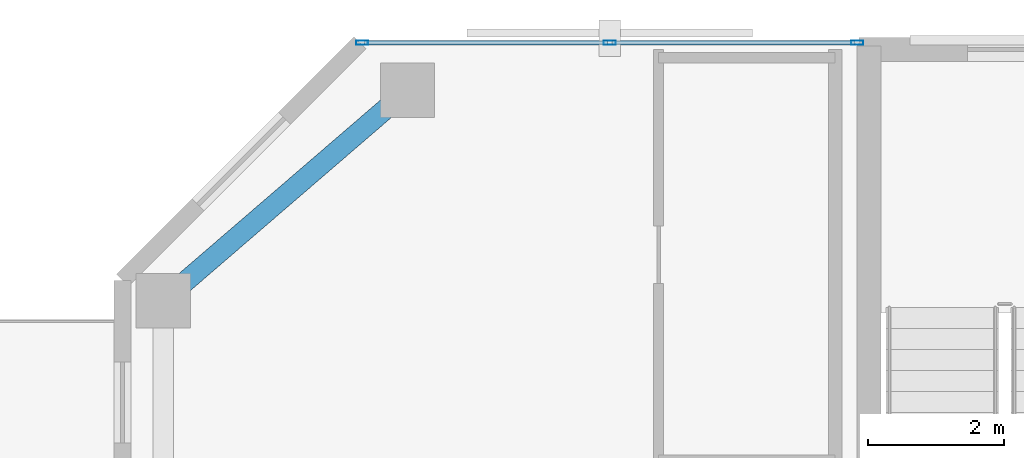
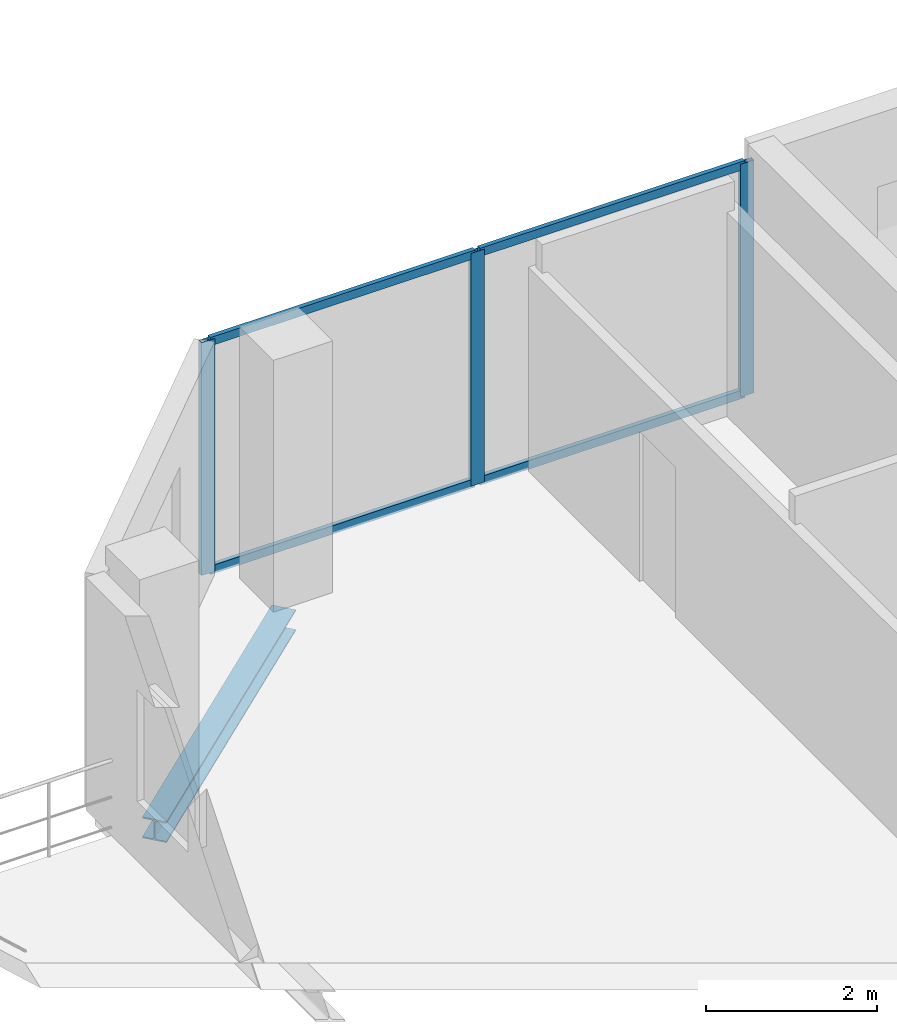
# One storey, part 15 of 23: 7 members, 1 beam, 1 element without a shape of its own.
"""IFC4 building model written with IfcOpenShell, lengths in metres."""

import ifcopenshell
import ifcopenshell.guid

model = None  # the IFC model being written
_history = None  # IfcOwnerHistory: only IFC2X3 demands one
_inside = {}  # id of a spatial element -> (the spatial element, [elements in it])
_under = {}  # id of a project, library or spatial element -> (it, [spatial elements below it])
_declared = {}  # id of a project -> (the project, [libraries it declares])
_typed = {}  # id of a type object -> (the type object, [elements of that type])
_made_of = {}  # id of a material, layer set ... -> (it, [elements and type objects made of it])


def new_model(schema):
    """Start an empty IFC model of exactly this schema.

    Asked for "IFC4X3", IfcOpenShell would pick the latest addendum, in which some entities
    have other attributes; the version numbers below select the first issue.
    IFC2X3 requires an IfcOwnerHistory on every rooted entity: one is made here for all.
    """
    global model, _history
    if schema == "IFC4X3":
        model = ifcopenshell.file(schema_version=(4, 3, 0, 0))
    else:
        model = ifcopenshell.file(schema=schema)
    _inside.clear()
    _under.clear()
    _declared.clear()
    _typed.clear()
    _made_of.clear()
    _history = None
    if model.schema == "IFC2X3":
        org = make("IfcOrganization", Name="unknown")
        user = make(
            "IfcPersonAndOrganization",
            ThePerson=make("IfcPerson", FamilyName="unknown"),
            TheOrganization=org,
        )
        app = make(
            "IfcApplication",
            ApplicationDeveloper=org,
            Version="unknown",
            ApplicationFullName="unknown",
            ApplicationIdentifier="unknown",
        )
        _history = make(
            "IfcOwnerHistory",
            OwningUser=user,
            OwningApplication=app,
            ChangeAction="ADDED",
            CreationDate=0,
        )
    return model


def make(cls, **values):
    """One entity of the class cls with the attributes given. An attribute that is None is left unset."""
    return model.create_entity(
        cls, **{name: value for name, value in values.items() if value is not None}
    )


def rooted(cls, **values):
    """An entity with a GlobalId (a new one), such as an element, a storey or a relation."""
    return make(cls, GlobalId=ifcopenshell.guid.new(), OwnerHistory=_history, **values)


def si_unit(unit_type, name, prefix=None):
    """IfcSIUnit, for example si_unit("LENGTHUNIT", "METRE", prefix="MILLI")."""
    return make("IfcSIUnit", UnitType=unit_type, Prefix=prefix, Name=name)


def assignment(units):
    """IfcUnitAssignment: the units of a project."""
    return None if units is None else make("IfcUnitAssignment", Units=units)


def point(xyz):
    """IfcCartesianPoint."""
    return None if xyz is None else make("IfcCartesianPoint", Coordinates=xyz)


def direction(xyz):
    """IfcDirection."""
    return None if xyz is None else make("IfcDirection", DirectionRatios=xyz)


def frame(location, z_axis=None, x_axis=None):
    """IfcAxis2Placement3D, a coordinate frame: its origin and axes. An axis left out is left unset."""
    return make(
        "IfcAxis2Placement3D",
        Location=point(location),
        Axis=direction(z_axis),
        RefDirection=direction(x_axis),
    )


def frame_2d(location, x_axis=None):
    """IfcAxis2Placement2D, a coordinate frame in the plane: its origin and x axis."""
    return make(
        "IfcAxis2Placement2D", Location=point(location), RefDirection=direction(x_axis)
    )


def origin():
    """The frame at (0, 0, 0) with its axes left unset."""
    return frame((0.0, 0.0, 0.0))


def origin_2d():
    """The frame at (0, 0) in the plane with its x axis left unset."""
    return frame_2d((0.0, 0.0))


def place(relative_to, where):
    """IfcLocalPlacement: puts the frame where relative to a parent placement (None: the world)."""
    return make(
        "IfcLocalPlacement", PlacementRelTo=relative_to, RelativePlacement=where
    )


def context(
    kind, dimensions, precision=None, world=None, true_north=None, identifier=None
):
    """IfcGeometricRepresentationContext, for example the 3D "Model" context."""
    return make(
        "IfcGeometricRepresentationContext",
        ContextIdentifier=identifier,
        ContextType=kind,
        CoordinateSpaceDimension=dimensions,
        Precision=precision,
        WorldCoordinateSystem=world,
        TrueNorth=true_north,
    )


def subcontext(parent, identifier, kind, view, scale=None):
    """IfcGeometricRepresentationSubContext, for example "Body" below "Model"."""
    return make(
        "IfcGeometricRepresentationSubContext",
        ContextIdentifier=identifier,
        ContextType=kind,
        ParentContext=parent,
        TargetScale=scale,
        TargetView=view,
    )


def project(units=None, contexts=None):
    """IfcProject with its units and contexts."""
    return rooted(
        "IfcProject",
        Name="project",
        RepresentationContexts=contexts,
        UnitsInContext=assignment(units),
    )


def spatial(cls, under=None, at=None, **own):
    """A site, building, storey or space (cls), placed at a placement, below another one or the project."""
    s = rooted(cls, ObjectPlacement=at, **own)
    if under is not None:
        _under.setdefault(under.id(), (under, []))[1].append(s)
    return s


def profile(cls, at=None, kind="AREA", **sizes):
    """A parametric profile (cls). Its sizes go by their IFC names, for example OverallWidth=200.0."""
    return make(cls, ProfileType=kind, Position=at, **sizes)


def hollow_rectangle(**sizes):
    """IfcRectangleHollowProfileDef."""
    return profile("IfcRectangleHollowProfileDef", **sizes)


def i_section(**sizes):
    """IfcIShapeProfileDef."""
    return profile("IfcIShapeProfileDef", **sizes)


def extrude(swept, where, along, depth):
    """IfcExtrudedAreaSolid: the profile swept, set in the frame where, extruded along a direction by depth."""
    return make(
        "IfcExtrudedAreaSolid",
        SweptArea=swept,
        Position=where,
        ExtrudedDirection=direction(along),
        Depth=depth,
    )


def shape(context_of_items, identifier, shape_type, items):
    """IfcShapeRepresentation: the items that make up one representation, for example the "Body"."""
    return make(
        "IfcShapeRepresentation",
        ContextOfItems=context_of_items,
        RepresentationIdentifier=identifier,
        RepresentationType=shape_type,
        Items=items,
    )


def material(Name=None, Category=None):
    """IfcMaterial."""
    return make("IfcMaterial", Name=Name, Category=Category)


def layer(
    of_material, thickness, ventilated=None, Name=None, Category=None, Priority=None
):
    """IfcMaterialLayer: one layer of a wall or slab, of a material (None: an air gap)."""
    return make(
        "IfcMaterialLayer",
        Material=of_material,
        LayerThickness=thickness,
        IsVentilated=ventilated,
        Name=Name,
        Category=Category,
        Priority=Priority,
    )


def layer_set(layers, Name=None):
    """IfcMaterialLayerSet."""
    return make("IfcMaterialLayerSet", MaterialLayers=layers, LayerSetName=Name)


def material_profile(
    of_material, cross_section, Name=None, Category=None, Priority=None
):
    """IfcMaterialProfile: a cross section and its material."""
    return make(
        "IfcMaterialProfile",
        Name=Name,
        Material=of_material,
        Profile=cross_section,
        Priority=Priority,
        Category=Category,
    )


def profile_set(profiles, Name=None, composite=None):
    """IfcMaterialProfileSet."""
    return make(
        "IfcMaterialProfileSet",
        Name=Name,
        MaterialProfiles=profiles,
        CompositeProfile=composite,
    )


def made_of(thing, what):
    """Note that an element or type object is made of a material, layer set ...; save() writes the relation."""
    if what is not None:
        _made_of.setdefault(what.id(), (what, []))[1].append(thing)
    return thing


def type_object(cls, material=None, **own):
    """A type object (cls), such as IfcWallType, which elements share."""
    return made_of(rooted(cls, **own), material)


def element(
    cls,
    number,
    at=None,
    inside=None,
    cuts=None,
    type_object=None,
    material=None,
    context=None,
    identifier="Body",
    shape_type=None,
    held_by="IfcProductDefinitionShape",
    body=None,
    shapes=None,
    **own,
):
    """One element of the class cls, such as IfcWall. Its Tag is "e" and its number.

    at: its placement. inside: the storey or other place that contains it. cuts: it is an
    opening in that element (IfcRelVoidsElement). A single representation is given by context,
    identifier, shape_type and body (its items); several are given by shapes. held_by: the class
    of the entity that holds the representations. save() writes the other relations.
    """
    e = rooted(cls, Tag="e%d" % number, ObjectPlacement=at, **own)
    if body is not None:
        shapes = [shape(context, identifier, shape_type, body)]
    if shapes is not None:
        e.Representation = make(held_by, Representations=shapes)
    if inside is not None:
        _inside.setdefault(inside.id(), (inside, []))[1].append(e)
    if cuts is not None:
        rooted(
            "IfcRelVoidsElement", RelatingBuildingElement=cuts, RelatedOpeningElement=e
        )
    if type_object is not None:
        _typed.setdefault(type_object.id(), (type_object, []))[1].append(e)
    return made_of(e, material)


def aggregate(whole, parts):
    """IfcRelAggregates: a whole, such as a stair, and the parts it consists of."""
    return rooted("IfcRelAggregates", RelatingObject=whole, RelatedObjects=parts)


def save(model, path):
    """Write the relations noted so far, then the file.

    IfcRelAggregates (storeys below a building ...), IfcRelContainedInSpatialStructure (elements
    in a storey), IfcRelDefinesByType, IfcRelAssociatesMaterial and IfcRelDeclares: one each for
    every whole, place, type object, material and project.
    """
    for whole, parts in _under.values():
        aggregate(whole, parts)
    for where, things in _inside.values():
        rooted(
            "IfcRelContainedInSpatialStructure",
            RelatedElements=things,
            RelatingStructure=where,
        )
    for kind, things in _typed.values():
        rooted("IfcRelDefinesByType", RelatedObjects=things, RelatingType=kind)
    for what, things in _made_of.values():
        rooted("IfcRelAssociatesMaterial", RelatedObjects=things, RelatingMaterial=what)
    for by, libraries in _declared.values():
        rooted("IfcRelDeclares", RelatingContext=by, RelatedDefinitions=libraries)
    model.write(path)


model = new_model("IFC4")

# Units and contexts
model_context = context("Model", 3, precision=1e-05, world=origin(), true_north=direction((0.0, 1.0)))
body_context = subcontext(model_context, "Body", "Model", "MODEL_VIEW")
ifc_project = project(units=[si_unit("LENGTHUNIT", "METRE"), si_unit("AREAUNIT", "SQUARE_METRE"), si_unit("VOLUMEUNIT", "CUBIC_METRE"), si_unit("PLANEANGLEUNIT", "RADIAN"), si_unit("MASSUNIT", "GRAM", prefix="KILO")], contexts=[model_context])

# Site, building, storey
site_placement = place(None, origin())
site = spatial("IfcSite", under=ifc_project, at=site_placement, CompositionType="ELEMENT")
building_placement = place(site_placement, origin())
building = spatial("IfcBuilding", under=site, at=building_placement, Name="Catumbela Crestline Tower", CompositionType="ELEMENT")
storey_placement = place(building_placement, frame((0.0, 0.0, 183.0)))
storey = spatial("IfcBuildingStorey", under=building, at=storey_placement, Name="L47", CompositionType="ELEMENT", Elevation=183.0)

# Curtain wall, members
ifc_material_1 = material(Name="Aluminium alloy AW-6060-T66", Category="aluminium")
ifc_layer = layer(ifc_material_1, 0.18, Name="Aluminium alloy AW-6060-T66")
ifc_layer_set = layer_set([ifc_layer], Name="Aluminium alloy AW-6060-T66")
curtain_wall_type = type_object("IfcCurtainWallType", Name="CWU-Z3", PredefinedType="USERDEFINED", material=ifc_layer_set)
curtain_wall_placement = place(storey_placement, origin())
curtain_wall = element("IfcCurtainWall", 1, at=curtain_wall_placement, inside=storey, type_object=curtain_wall_type, Name="L47 Unitised Curtain Wall CW-L47-E7S2", ObjectType="UNITISED", PredefinedType="USERDEFINED")
ifc_material_profile_1 = material_profile(ifc_material_1, hollow_rectangle(XDim=0.065, YDim=0.18, WallThickness=0.004, at=origin_2d()), Name="ALU 180x65x4")
ifc_profile_set_1 = profile_set([ifc_material_profile_1], Name="Aluminium alloy AW-6060-T66")
member_type_1 = type_object("IfcMemberType", Name="MUL-180X65", PredefinedType="MULLION", material=ifc_profile_set_1)
member_1_placement = place(storey_placement, frame((15.8275, 43.0, 0.0), z_axis=(0.0, 0.0, 1.0), x_axis=(0.0, -1.0, 0.0)))
member_1 = element("IfcMember", 2, at=member_1_placement, type_object=member_type_1, Name="CWU-Z3 mullion 1", PredefinedType="MULLION", context=body_context, shape_type="SweptSolid", body=[
    extrude(hollow_rectangle(XDim=0.065, YDim=0.18, WallThickness=0.004, at=origin_2d()), origin(), (0.0, 0.0, 1.0), 3.33),
])
member_2_placement = place(storey_placement, frame((12.18, 43.0, 0.0), z_axis=(0.0, 0.0, 1.0), x_axis=(0.0, -1.0, 0.0)))
member_2 = element("IfcMember", 3, at=member_2_placement, type_object=member_type_1, Name="CWU-Z3 mullion 2", PredefinedType="MULLION", context=body_context, shape_type="SweptSolid", body=[
    extrude(hollow_rectangle(XDim=0.065, YDim=0.18, WallThickness=0.004, at=origin_2d()), origin(), (0.0, 0.0, 1.0), 3.33),
])
member_3_placement = place(storey_placement, frame((8.5325, 43.0, 0.0), z_axis=(0.0, 0.0, 1.0), x_axis=(0.0, -1.0, 0.0)))
member_3 = element("IfcMember", 4, at=member_3_placement, type_object=member_type_1, Name="CWU-Z3 mullion 3", PredefinedType="MULLION", context=body_context, shape_type="SweptSolid", body=[
    extrude(hollow_rectangle(XDim=0.065, YDim=0.18, WallThickness=0.004, at=origin_2d()), origin(), (0.0, 0.0, 1.0), 3.33),
])

# Beam
ifc_material_2 = material(Name="Structural steel S355J2", Category="steel")
ifc_material_profile_2 = material_profile(ifc_material_2, i_section(OverallWidth=0.3, OverallDepth=0.3, WebThickness=0.011, FlangeThickness=0.019, FilletRadius=0.027, at=origin_2d()), Name="HEB 300")
ifc_profile_set_2 = profile_set([ifc_material_profile_2], Name="Structural steel S355J2")
beam_type = type_object("IfcBeamType", Name="BS-HEB300", PredefinedType="SPANDREL", material=ifc_profile_set_2)
beam_placement = place(storey_placement, frame((5.6606, 39.2522, -0.41), z_axis=(0.757772392559, 0.652518966066, 0.0), x_axis=(-0.652518966066, 0.757772392559, 0.0)))
element("IfcBeam", 5, at=beam_placement, inside=storey, type_object=beam_type, Name="L47 Spandrel SP-L47-N10", PredefinedType="SPANDREL", context=body_context, shape_type="SweptSolid", body=[
    extrude(i_section(OverallWidth=0.3, OverallDepth=0.3, WebThickness=0.011, FlangeThickness=0.019, FilletRadius=0.027, at=origin_2d()), origin(), (0.0, 0.0, 1.0), 4.5908),
])

# Member
ifc_material_profile_3 = material_profile(ifc_material_1, hollow_rectangle(XDim=0.06, YDim=0.12, WallThickness=0.0035, at=origin_2d()), Name="ALU 120x60x3.5")
ifc_profile_set_3 = profile_set([ifc_material_profile_3], Name="Aluminium alloy AW-6060-T66")
member_type_2 = type_object("IfcMemberType", Name="TRN-120X60", PredefinedType="USERDEFINED", material=ifc_profile_set_3)
member_4_placement = place(storey_placement, frame((15.795, 43.0, 0.03), z_axis=(-1.0, 0.0, 0.0), x_axis=(0.0, -1.0, 0.0)))
member_4 = element("IfcMember", 6, at=member_4_placement, type_object=member_type_2, Name="CWU-Z3 transom 1.1", ObjectType="TRANSOM", PredefinedType="USERDEFINED", context=body_context, shape_type="SweptSolid", body=[
    extrude(hollow_rectangle(XDim=0.06, YDim=0.12, WallThickness=0.0035, at=origin_2d()), origin(), (0.0, 0.0, 1.0), 3.5825),
])

member_5_placement = place(storey_placement, frame((15.795, 43.0, 3.3), z_axis=(-1.0, 0.0, 0.0), x_axis=(0.0, -1.0, 0.0)))
member_5 = element("IfcMember", 7, at=member_5_placement, type_object=member_type_2, Name="CWU-Z3 transom 1.2", ObjectType="TRANSOM", PredefinedType="USERDEFINED", context=body_context, shape_type="SweptSolid", body=[
    extrude(hollow_rectangle(XDim=0.06, YDim=0.12, WallThickness=0.0035, at=origin_2d()), origin(), (0.0, 0.0, 1.0), 3.5825),
])

member_6_placement = place(storey_placement, frame((12.1475, 43.0, 0.03), z_axis=(-1.0, 0.0, 0.0), x_axis=(0.0, -1.0, 0.0)))
member_6 = element("IfcMember", 8, at=member_6_placement, type_object=member_type_2, Name="CWU-Z3 transom 2.1", ObjectType="TRANSOM", PredefinedType="USERDEFINED", context=body_context, shape_type="SweptSolid", body=[
    extrude(hollow_rectangle(XDim=0.06, YDim=0.12, WallThickness=0.0035, at=origin_2d()), origin(), (0.0, 0.0, 1.0), 3.5825),
])

member_7_placement = place(storey_placement, frame((12.1475, 43.0, 3.3), z_axis=(-1.0, 0.0, 0.0), x_axis=(0.0, -1.0, 0.0)))
member_7 = element("IfcMember", 9, at=member_7_placement, type_object=member_type_2, Name="CWU-Z3 transom 2.2", ObjectType="TRANSOM", PredefinedType="USERDEFINED", context=body_context, shape_type="SweptSolid", body=[
    extrude(hollow_rectangle(XDim=0.06, YDim=0.12, WallThickness=0.0035, at=origin_2d()), origin(), (0.0, 0.0, 1.0), 3.5825),
])

aggregate(curtain_wall, [member_1, member_2, member_3, member_4, member_5, member_6, member_7])

save(model, "model.ifc")
